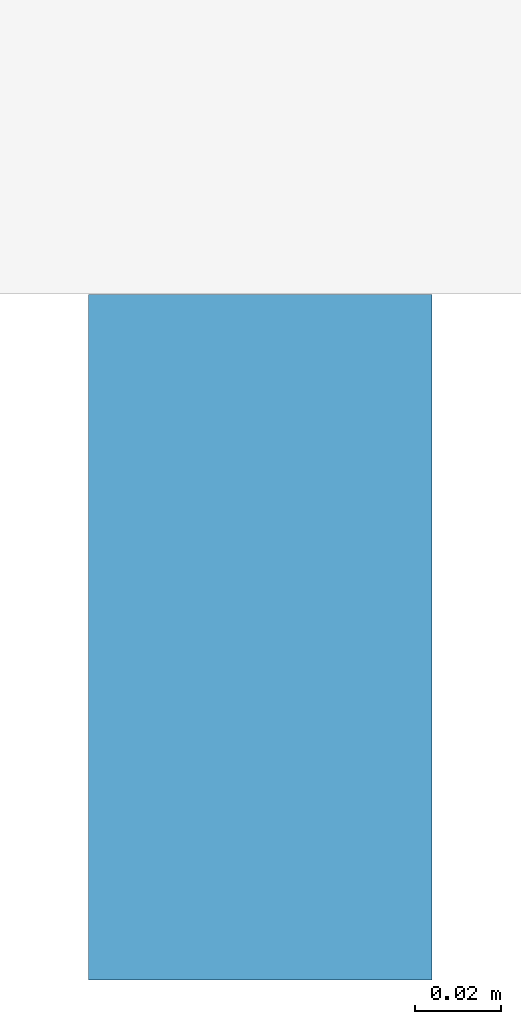
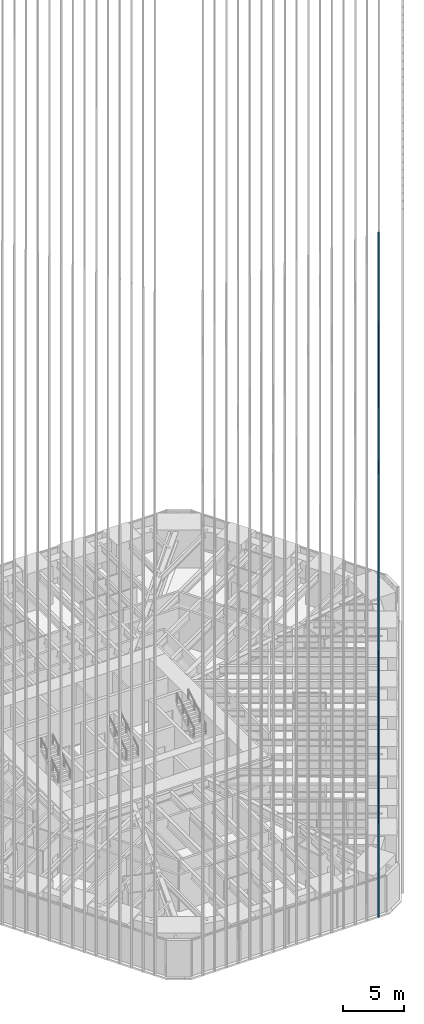
# One storey, part 77 of 256: 1 member, 1 element without a shape of its own.
"""IFC4 building model written with IfcOpenShell, lengths in metres."""

from ifc_helpers import new_model, si_unit, direction, frame, origin, origin_2d, place, context, subcontext, project, spatial, rectangle, extrude, material, material_profile, profile_set, type_object, element, aggregate, save


model = new_model("IFC4")

# Units and contexts
model_context = context("Model", 3, precision=1e-05, world=origin(), true_north=direction((0.0, 1.0)))
body_context = subcontext(model_context, "Body", "Model", "MODEL_VIEW")
ifc_project = project(units=[si_unit("LENGTHUNIT", "METRE"), si_unit("AREAUNIT", "SQUARE_METRE"), si_unit("VOLUMEUNIT", "CUBIC_METRE"), si_unit("PLANEANGLEUNIT", "RADIAN"), si_unit("MASSUNIT", "GRAM", prefix="KILO")], contexts=[model_context])

# Site, building, storey
site_placement = place(None, origin())
site = spatial("IfcSite", under=ifc_project, at=site_placement, CompositionType="ELEMENT")
building_placement = place(site_placement, origin())
building = spatial("IfcBuilding", under=site, at=building_placement, Name="Sandreach Pilgrim Tower", CompositionType="ELEMENT")
storey_placement = place(building_placement, frame((0.0, 0.0, 23.0)))
storey = spatial("IfcBuildingStorey", under=building, at=storey_placement, Name="L04", CompositionType="ELEMENT", Elevation=23.0)

# Curtain wall, member
ifc_material_1 = material(Name="Aluminium framed curtain wall", Category="aluminium")
curtain_wall_type = type_object("IfcCurtainWallType", Name="Hostel tower curtain wall", PredefinedType="NOTDEFINED", material=ifc_material_1)
curtain_wall_placement = place(storey_placement, origin())
curtain_wall = element("IfcCurtainWall", 1, at=curtain_wall_placement, inside=storey, type_object=curtain_wall_type, Name="CW-1 L04 S", PredefinedType="NOTDEFINED")
ifc_material_2 = material(Name="Extruded terracotta on aluminium core", Category="masonry")
ifc_material_profile = material_profile(ifc_material_2, rectangle(XDim=0.080078125, YDim=0.159912109375, at=origin_2d()), Name="TBS 80X160")
ifc_profile_set = profile_set([ifc_material_profile], Name="Extruded terracotta on aluminium core")
member_type = type_object("IfcMemberType", Name="Terracotta baguette south", PredefinedType="USERDEFINED", material=ifc_profile_set)
member_placement = place(storey_placement, frame((8.28662109375, -30.390869140625, 0.0), z_axis=(0.0, 0.0, 1.0), x_axis=(-1.0, 0.0, 0.0)))
member = element("IfcMember", 2, at=member_placement, type_object=member_type, Name="Baguette Z1 S01", ObjectType="BAGUETTE", PredefinedType="USERDEFINED", context=body_context, shape_type="SweptSolid", body=[
    extrude(rectangle(XDim=0.080078125, YDim=0.159912109375, at=origin_2d()), origin(), (0.0, 0.0, 1.0), 68.239990234375),
])
aggregate(curtain_wall, [member])

save(model, "model.ifc")
